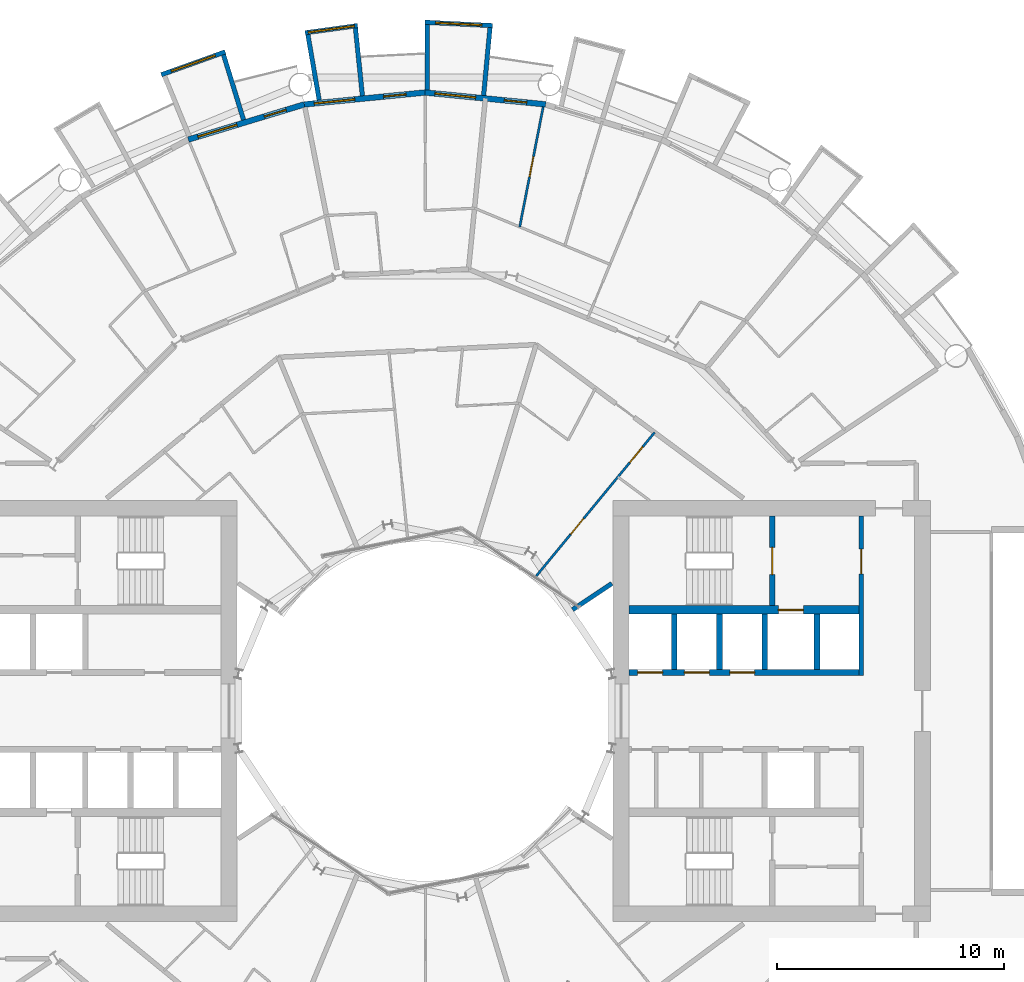
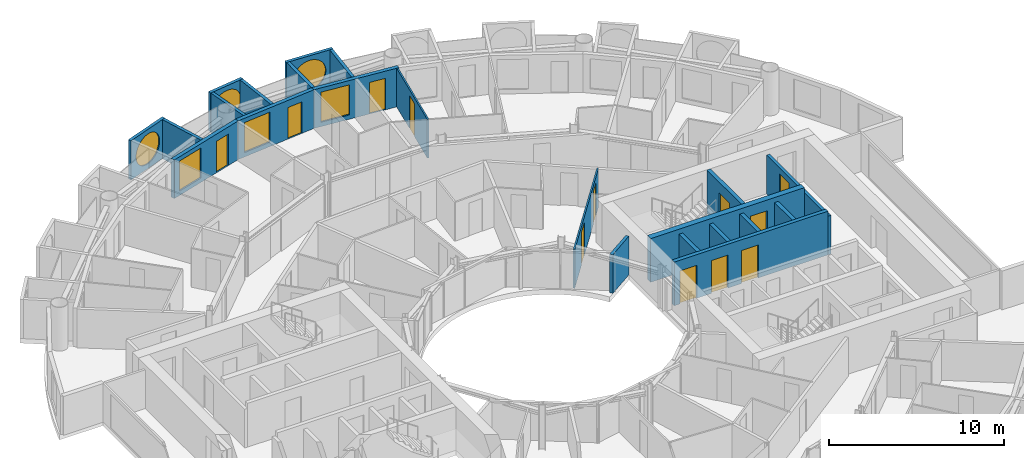
# One storey, part 20 of 26: 22 walls, 12 doors, 6 windows, 18 openings.
"""IFC4 building model written with IfcOpenShell, lengths in metres."""

from ifc_helpers import new_model, si_unit, direction, frame, frame_2d, origin, place, context, subcontext, project, spatial, rectangle, circle, extrude, material, layer, layer_set, type_object, element, fill, save


model = new_model("IFC4")

# Units and contexts
model_context = context("Model", 3, precision=1e-05, world=origin(), true_north=direction((0.0, 1.0)))
body_context = subcontext(model_context, "Body", "Model", "MODEL_VIEW")
ifc_project = project(units=[si_unit("LENGTHUNIT", "METRE"), si_unit("AREAUNIT", "SQUARE_METRE"), si_unit("VOLUMEUNIT", "CUBIC_METRE"), si_unit("PLANEANGLEUNIT", "RADIAN"), si_unit("MASSUNIT", "GRAM", prefix="KILO")], contexts=[model_context])

# Site, building, storey
site_placement = place(None, origin())
site = spatial("IfcSite", under=ifc_project, at=site_placement, CompositionType="ELEMENT")
building_placement = place(site_placement, origin())
building = spatial("IfcBuilding", under=site, at=building_placement, Name="Maasbend Ring Residences", CompositionType="ELEMENT")
storey_placement = place(building_placement, frame((0.0, 0.0, 69.699951171875)))
storey = spatial("IfcBuildingStorey", under=building, at=storey_placement, Name="L19", CompositionType="ELEMENT", Elevation=69.699951171875)

# Wall, openings, doors
ifc_material_1 = material(Name="Concrete C70/85", Category="concrete")
ifc_layer_1 = layer(ifc_material_1, 0.25)
ifc_layer_set_1 = layer_set([ifc_layer_1], Name="Concrete C70/85")
wall_type_1 = type_object("IfcWallType", Name="CORE WALL 250 C70/85", PredefinedType="SHEAR", material=ifc_layer_set_1)
wall_1_placement = place(storey_placement, frame((9.0, 1.699951171875, 0.0), z_axis=(0.0, 0.0, 1.0), x_axis=(1.0, 0.0, 0.0)))
wall_1 = element("IfcWall", 1, at=wall_1_placement, inside=storey, type_object=wall_type_1, Name="L19 core E wall SPN", PredefinedType="SHEAR", context=body_context, shape_type="SweptSolid", body=[
    extrude(rectangle(XDim=10.14990234375, YDim=0.25, at=frame_2d((5.074951171875, 0.0))), origin(), (0.0, 0.0, 1.0), 3.050048828125),
])
opening_1_placement = place(wall_1_placement, frame((0.387451171875, 0.0, 0.0)))
opening_1 = element("IfcOpeningElement", 2, at=opening_1_placement, cuts=wall_1, Name="Opening LD-E1901", PredefinedType="OPENING", context=body_context, shape_type="SweptSolid", body=[
    extrude(rectangle(XDim=1.10009765625, YDim=2.300048828125, at=frame_2d((0.550048828125, 1.14990234375))), frame((0.0, 0.135009765625, 0.0), z_axis=(0.0, -1.0, 0.0), x_axis=(1.0, 0.0, 0.0)), (0.0, 0.0, 1.0), 0.27001953125),
])
opening_2_placement = place(wall_1_placement, frame((2.449951171875, 0.0, 0.0)))
opening_2 = element("IfcOpeningElement", 3, at=opening_2_placement, cuts=wall_1, Name="Opening LD-E1902", PredefinedType="OPENING", context=body_context, shape_type="SweptSolid", body=[
    extrude(rectangle(XDim=1.10009765625, YDim=2.300048828125, at=frame_2d((0.550048828125, 1.14990234375))), frame((0.0, 0.135009765625, 0.0), z_axis=(0.0, -1.0, 0.0), x_axis=(1.0, 0.0, 0.0)), (0.0, 0.0, 1.0), 0.27001953125),
])
opening_3_placement = place(wall_1_placement, frame((4.449951171875, 0.0, 0.0)))
opening_3 = element("IfcOpeningElement", 4, at=opening_3_placement, cuts=wall_1, Name="Opening LD-E1903", PredefinedType="OPENING", context=body_context, shape_type="SweptSolid", body=[
    extrude(rectangle(XDim=1.10009765625, YDim=2.300048828125, at=frame_2d((0.550048828125, 1.14990234375))), frame((0.0, 0.135009765625, 0.0), z_axis=(0.0, -1.0, 0.0), x_axis=(1.0, 0.0, 0.0)), (0.0, 0.0, 1.0), 0.27001953125),
])
ifc_material_2 = material(Name="Stainless steel 316", Category="steel")
door_type_1 = type_object("IfcDoorType", Name="LANDING DOOR 1100 X 2300 FD60", OperationType="DOUBLE_DOOR_SLIDING", PredefinedType="DOOR", material=ifc_material_2)
door_1_placement = place(opening_1_placement, origin())
door_1 = element("IfcDoor", 5, at=door_1_placement, inside=storey, type_object=door_type_1, Name="Landing door LR-E1 L19", OperationType="DOUBLE_DOOR_SLIDING", OverallHeight=2.300048828125, OverallWidth=1.10009765625, PredefinedType="DOOR", context=body_context, shape_type="SweptSolid", body=[
    extrude(rectangle(XDim=1.10009765625, YDim=2.300048828125, at=frame_2d((0.550048828125, 1.14990234375))), frame((0.0, 0.02490234375, 0.0), z_axis=(0.0, -1.0, 0.0), x_axis=(1.0, 0.0, 0.0)), (0.0, 0.0, 1.0), 0.050048828125),
])
fill(opening_1, door_1)
door_2_placement = place(opening_2_placement, origin())
door_2 = element("IfcDoor", 6, at=door_2_placement, inside=storey, type_object=door_type_1, Name="Landing door LR-E2 L19", OperationType="DOUBLE_DOOR_SLIDING", OverallHeight=2.300048828125, OverallWidth=1.10009765625, PredefinedType="DOOR", context=body_context, shape_type="SweptSolid", body=[
    extrude(rectangle(XDim=1.10009765625, YDim=2.300048828125, at=frame_2d((0.550048828125, 1.14990234375))), frame((0.0, 0.02490234375, 0.0), z_axis=(0.0, -1.0, 0.0), x_axis=(1.0, 0.0, 0.0)), (0.0, 0.0, 1.0), 0.050048828125),
])
fill(opening_2, door_2)
door_3_placement = place(opening_3_placement, origin())
door_3 = element("IfcDoor", 7, at=door_3_placement, inside=storey, type_object=door_type_1, Name="Landing door LR-E3 L19", OperationType="DOUBLE_DOOR_SLIDING", OverallHeight=2.300048828125, OverallWidth=1.10009765625, PredefinedType="DOOR", context=body_context, shape_type="SweptSolid", body=[
    extrude(rectangle(XDim=1.10009765625, YDim=2.300048828125, at=frame_2d((0.550048828125, 1.14990234375))), frame((0.0, 0.02490234375, 0.0), z_axis=(0.0, -1.0, 0.0), x_axis=(1.0, 0.0, 0.0)), (0.0, 0.0, 1.0), 0.050048828125),
])
fill(opening_3, door_3)

# Wall, opening, door
wall_2_placement = place(storey_placement, frame((15.324951171875, 4.64990234375, 0.0), z_axis=(0.0, 0.0, 1.0), x_axis=(0.0, 1.0, 0.0)))
wall_2 = element("IfcWall", 8, at=wall_2_placement, inside=storey, type_object=wall_type_1, Name="L19 core E wall STEN", PredefinedType="SHEAR", context=body_context, shape_type="SweptSolid", body=[
    extrude(rectangle(XDim=3.9501953125, YDim=0.25, at=frame_2d((1.97509765625, 0.0))), origin(), (0.0, 0.0, 1.0), 3.050048828125),
])
opening_4_placement = place(wall_2_placement, frame((1.375, 0.0, 0.0)))
opening_4 = element("IfcOpeningElement", 9, at=opening_4_placement, cuts=wall_2, Name="Opening D-E1911", PredefinedType="OPENING", context=body_context, shape_type="SweptSolid", body=[
    extrude(rectangle(XDim=1.199951171875, YDim=2.300048828125, at=frame_2d((0.60009765625, 1.14990234375))), frame((0.0, 0.135009765625, 0.0), z_axis=(0.0, -1.0, 0.0), x_axis=(1.0, 0.0, 0.0)), (0.0, 0.0, 1.0), 0.27001953125),
])
ifc_material_3 = material(Name="Steel, powder coated", Category="steel")
door_type_2 = type_object("IfcDoorType", Name="STAIR DOOR 1200 X 2300 FD60", OperationType="NOTDEFINED", PredefinedType="DOOR", material=ifc_material_3)
door_4_placement = place(opening_4_placement, origin())
door_4 = element("IfcDoor", 10, at=door_4_placement, inside=storey, type_object=door_type_2, Name="Stair door ST-E L19", OperationType="SINGLE_SWING_LEFT", OverallHeight=2.300048828125, OverallWidth=1.199951171875, PredefinedType="DOOR", context=body_context, shape_type="SweptSolid", body=[
    extrude(rectangle(XDim=1.199951171875, YDim=2.300048828125, at=frame_2d((0.60009765625, 1.14990234375))), frame((0.0, 0.02490234375, 0.0), z_axis=(0.0, -1.0, 0.0), x_axis=(1.0, 0.0, 0.0)), (0.0, 0.0, 1.0), 0.050048828125),
])
fill(opening_4, door_4)

ifc_material_4 = material(Name="Concrete C70/85", Category="concrete")
ifc_layer_2 = layer(ifc_material_4, 0.375)
ifc_layer_set_2 = layer_set([ifc_layer_2], Name="Concrete C70/85")
wall_type_2 = type_object("IfcWallType", Name="CORE WALL 375 C70/85", PredefinedType="SHEAR", material=ifc_layer_set_2)
wall_3_placement = place(storey_placement, frame((9.0, 4.46240234375, 0.0), z_axis=(0.0, 0.0, 1.0), x_axis=(1.0, 0.0, 0.0)))
wall_3 = element("IfcWall", 11, at=wall_3_placement, inside=storey, type_object=wall_type_2, Name="L19 core E wall BN", PredefinedType="SHEAR", context=body_context, shape_type="SweptSolid", body=[
    extrude(rectangle(XDim=10.14990234375, YDim=0.375, at=frame_2d((5.074951171875, 0.0))), origin(), (0.0, 0.0, 1.0), 3.050048828125),
])
opening_5_placement = place(wall_3_placement, frame((6.60009765625, 0.0, 0.0)))
opening_5 = element("IfcOpeningElement", 12, at=opening_5_placement, cuts=wall_3, Name="Opening LD-E1904", PredefinedType="OPENING", context=body_context, shape_type="SweptSolid", body=[
    extrude(rectangle(XDim=1.10009765625, YDim=2.300048828125, at=frame_2d((0.550048828125, 1.14990234375))), frame((0.0, 0.197509765625, 0.0), z_axis=(0.0, -1.0, 0.0), x_axis=(1.0, 0.0, 0.0)), (0.0, 0.0, 1.0), 0.39501953125),
])
door_5_placement = place(opening_5_placement, origin())
door_5 = element("IfcDoor", 13, at=door_5_placement, inside=storey, type_object=door_type_1, Name="Landing door FF-E L19", OperationType="DOUBLE_DOOR_SLIDING", OverallHeight=2.300048828125, OverallWidth=1.10009765625, PredefinedType="DOOR", context=body_context, shape_type="SweptSolid", body=[
    extrude(rectangle(XDim=1.10009765625, YDim=2.300048828125, at=frame_2d((0.550048828125, 1.14990234375))), frame((0.0, 0.02490234375, 0.0), z_axis=(0.0, -1.0, 0.0), x_axis=(1.0, 0.0, 0.0)), (0.0, 0.0, 1.0), 0.050048828125),
])
fill(opening_5, door_5)

# Wall, opening, window
ifc_material_5 = material(Name="Pale anodised aluminium panel", Category="aluminium")
ifc_layer_3 = layer(ifc_material_5, 0.199951171875)
ifc_layer_set_3 = layer_set([ifc_layer_3], Name="EW-BOX")
wall_type_3 = type_object("IfcWallType", Name="EW-BOX", PredefinedType="SOLIDWALL", material=ifc_layer_set_3)
wall_4_placement = place(storey_placement, frame((2.985107421875, 30.2529296875, -0.030029296875), z_axis=(0.0, 0.0, 1.0), x_axis=(-0.998794083011, 0.049095618353, 0.0)))
wall_4 = element("IfcWall", 14, at=wall_4_placement, inside=storey, type_object=wall_type_3, Name="Box front N10", PredefinedType="SOLIDWALL", context=body_context, shape_type="SweptSolid", body=[
    extrude(rectangle(XDim=2.99365234375, YDim=0.199951171875, at=frame_2d((1.496826171875, 0.0))), origin(), (0.0, 0.0, 1.0), 2.72998046875),
])
opening_6_placement = place(wall_4_placement, frame((0.45654296875, 0.0, 0.330078125)))
opening_6 = element("IfcOpeningElement", 15, at=opening_6_placement, cuts=wall_4, Name="Opening W-RD", PredefinedType="OPENING", context=body_context, shape_type="SweptSolid", body=[
    extrude(circle(Radius=1.0400390625, at=frame_2d((1.0400390625, 1.0400390625))), frame((0.0, 0.10986328125, 0.0), z_axis=(0.0, -1.0, 0.0), x_axis=(1.0, 0.0, 0.0)), (0.0, 0.0, 1.0), 0.219970703125),
])
ifc_material_6 = material(Name="Aluminium and clear glass", Category="aluminium")
window_type_1 = type_object("IfcWindowType", Name="W-RD", PartitioningType="SINGLE_PANEL", PredefinedType="WINDOW", material=ifc_material_6)
window_1_placement = place(opening_6_placement, origin())
window_1 = element("IfcWindow", 16, at=window_1_placement, inside=storey, type_object=window_type_1, Name="Round window N10", OverallHeight=2.080078125, OverallWidth=2.080078125, PartitioningType="SINGLE_PANEL", PredefinedType="WINDOW", context=body_context, shape_type="SweptSolid", body=[
    extrude(circle(Radius=1.0400390625, at=frame_2d((1.0400390625, 1.0400390625))), frame((0.0, 0.030029296875, 0.0), z_axis=(0.0, -1.0, 0.0), x_axis=(1.0, 0.0, 0.0)), (0.0, 0.0, 1.0), 0.06005859375),
])
fill(opening_6, window_1)

# Walls
wall_5_placement = place(storey_placement, frame((2.5859375, 27.1708984375, -0.030029296875), z_axis=(0.0, 0.0, 1.0), x_axis=(0.094548432284, 0.995520262954, 0.0)))
element("IfcWall", 17, at=wall_5_placement, inside=storey, type_object=wall_type_3, Name="Box side wall N10 left", PredefinedType="SOLIDWALL", context=body_context, shape_type="SweptSolid", body=[
    extrude(rectangle(XDim=3.005615234375, YDim=0.199951171875, at=frame_2d((1.5029296875, 0.0))), origin(), (0.0, 0.0, 1.0), 2.72998046875),
])
wall_6_placement = place(storey_placement, frame((0.090087890625, 27.4169921875, -0.030029296875), z_axis=(0.0, 0.0, 1.0), x_axis=(0.00347308367, 0.999993968827, 0.0)))
element("IfcWall", 18, at=wall_6_placement, inside=storey, type_object=wall_type_3, Name="Box side wall N10 right", PredefinedType="SOLIDWALL", context=body_context, shape_type="SweptSolid", body=[
    extrude(rectangle(XDim=2.882080078125, YDim=0.199951171875, at=frame_2d((1.44091796875, 0.0))), origin(), (0.0, 0.0, 1.0), 2.72998046875),
])

# Wall, opening, window
wall_7_placement = place(storey_placement, frame((-2.97607421875, 30.25390625, -0.030029296875), z_axis=(0.0, 0.0, 1.0), x_axis=(-0.990696111261, -0.136092671119, 0.0)))
wall_7 = element("IfcWall", 19, at=wall_7_placement, inside=storey, type_object=wall_type_3, Name="Box front N12", PredefinedType="SOLIDWALL", context=body_context, shape_type="SweptSolid", body=[
    extrude(rectangle(XDim=2.335693359375, YDim=0.199951171875, at=frame_2d((1.16796875, 0.0))), origin(), (0.0, 0.0, 1.0), 2.72998046875),
])
opening_7_placement = place(wall_7_placement, frame((0.128173828125, 0.0, 0.330078125)))
opening_7 = element("IfcOpeningElement", 20, at=opening_7_placement, cuts=wall_7, Name="Opening W-RD", PredefinedType="OPENING", context=body_context, shape_type="SweptSolid", body=[
    extrude(circle(Radius=1.0400390625, at=frame_2d((1.0400390625, 1.0400390625))), frame((0.0, 0.10986328125, 0.0), z_axis=(0.0, -1.0, 0.0), x_axis=(1.0, 0.0, 0.0)), (0.0, 0.0, 1.0), 0.219970703125),
])
window_2_placement = place(opening_7_placement, origin())
window_2 = element("IfcWindow", 21, at=window_2_placement, inside=storey, type_object=window_type_1, Name="Round window N12", OverallHeight=2.080078125, OverallWidth=2.080078125, PartitioningType="SINGLE_PANEL", PredefinedType="WINDOW", context=body_context, shape_type="SweptSolid", body=[
    extrude(circle(Radius=1.0400390625, at=frame_2d((1.0400390625, 1.0400390625))), frame((0.0, 0.030029296875, 0.0), z_axis=(0.0, -1.0, 0.0), x_axis=(1.0, 0.0, 0.0)), (0.0, 0.0, 1.0), 0.06005859375),
])
fill(opening_7, window_2)

# Walls
wall_8_placement = place(storey_placement, frame((-2.763916015625, 27.153076171875, -0.030029296875), z_axis=(0.0, 0.0, 1.0), x_axis=(-0.101505487237, 0.994834979311, 0.0)))
element("IfcWall", 22, at=wall_8_placement, inside=storey, type_object=wall_type_3, Name="Box side wall N12 left", PredefinedType="SOLIDWALL", context=body_context, shape_type="SweptSolid", body=[
    extrude(rectangle(XDim=3.006591796875, YDim=0.199951171875, at=frame_2d((1.50341796875, 0.0))), origin(), (0.0, 0.0, 1.0), 2.72998046875),
])
wall_9_placement = place(storey_placement, frame((-4.6708984375, 26.966064453125, -0.030029296875), z_axis=(0.0, 0.0, 1.0), x_axis=(-0.170539878907, 0.985350774954, 0.0)))
element("IfcWall", 23, at=wall_9_placement, inside=storey, type_object=wall_type_3, Name="Box side wall N12 right", PredefinedType="SOLIDWALL", context=body_context, shape_type="SweptSolid", body=[
    extrude(rectangle(XDim=2.931884765625, YDim=0.199951171875, at=frame_2d((1.4658203125, 0.0))), origin(), (0.0, 0.0, 1.0), 2.72998046875),
])

# Wall, opening, window
wall_10_placement = place(storey_placement, frame((-8.820068359375, 29.093017578125, -0.030029296875), z_axis=(0.0, 0.0, 1.0), x_axis=(-0.941461077774, -0.337121697664, 0.0)))
wall_10 = element("IfcWall", 24, at=wall_10_placement, inside=storey, type_object=wall_type_3, Name="Box front N14", PredefinedType="SOLIDWALL", context=body_context, shape_type="SweptSolid", body=[
    extrude(rectangle(XDim=2.9931640625, YDim=0.199951171875, at=frame_2d((1.49658203125, 0.0))), origin(), (0.0, 0.0, 1.0), 2.72998046875),
])
opening_8_placement = place(wall_10_placement, frame((0.45654296875, 0.0, 0.330078125)))
opening_8 = element("IfcOpeningElement", 25, at=opening_8_placement, cuts=wall_10, Name="Opening W-RD", PredefinedType="OPENING", context=body_context, shape_type="SweptSolid", body=[
    extrude(circle(Radius=1.0400390625, at=frame_2d((1.0400390625, 1.0400390625))), frame((0.0, 0.10986328125, 0.0), z_axis=(0.0, -1.0, 0.0), x_axis=(1.0, 0.0, 0.0)), (0.0, 0.0, 1.0), 0.219970703125),
])
window_3_placement = place(opening_8_placement, origin())
window_3 = element("IfcWindow", 26, at=window_3_placement, inside=storey, type_object=window_type_1, Name="Round window N14", OverallHeight=2.080078125, OverallWidth=2.080078125, PartitioningType="SINGLE_PANEL", PredefinedType="WINDOW", context=body_context, shape_type="SweptSolid", body=[
    extrude(circle(Radius=1.0400390625, at=frame_2d((1.0400390625, 1.0400390625))), frame((0.0, 0.030029296875, 0.0), z_axis=(0.0, -1.0, 0.0), x_axis=(1.0, 0.0, 0.0)), (0.0, 0.0, 1.0), 0.06005859375),
])
fill(opening_8, window_3)

# Wall
wall_11_placement = place(storey_placement, frame((-8.009033203125, 26.092041015625, -0.030029296875), z_axis=(0.0, 0.0, 1.0), x_axis=(-0.293406695073, 0.955987715029, 0.0)))
element("IfcWall", 27, at=wall_11_placement, inside=storey, type_object=wall_type_3, Name="Box side wall N14 left", PredefinedType="SOLIDWALL", context=body_context, shape_type="SweptSolid", body=[
    extrude(rectangle(XDim=3.00634765625, YDim=0.199951171875, at=frame_2d((1.503173828125, 0.0))), origin(), (0.0, 0.0, 1.0), 2.72998046875),
])

# Wall, openings, door, window
ifc_material_7 = material(Name="Aluminium clad insulated panel", Category="aluminium")
ifc_layer_4 = layer(ifc_material_7, 0.25)
ifc_layer_set_4 = layer_set([ifc_layer_4], Name="EW-GL")
wall_type_4 = type_object("IfcWallType", Name="EW-GL", PredefinedType="SOLIDWALL", material=ifc_layer_set_4)
wall_12_placement = place(storey_placement, frame((5.325927734375, 26.77490234375, 0.0), z_axis=(0.0, 0.0, 1.0), x_axis=(-0.995173996315, 0.098126026407, 0.0)))
wall_12 = element("IfcWall", 28, at=wall_12_placement, inside=storey, type_object=wall_type_4, Name="External wall N05", PredefinedType="SOLIDWALL", context=body_context, shape_type="SweptSolid", body=[
    extrude(rectangle(XDim=5.351806640625, YDim=0.25, at=frame_2d((2.67578125, 0.0))), origin(), (0.0, 0.0, 1.0), 2.699951171875),
])
opening_9_placement = place(wall_12_placement, frame((0.841064453125, 0.0, 0.0)))
opening_9 = element("IfcOpeningElement", 29, at=opening_9_placement, cuts=wall_12, Name="Opening D-LG", PredefinedType="OPENING", context=body_context, shape_type="SweptSolid", body=[
    extrude(rectangle(XDim=1.0, YDim=2.199951171875, at=frame_2d((0.5, 1.10009765625))), frame((0.0, 0.135009765625, 0.0), z_axis=(0.0, -1.0, 0.0), x_axis=(1.0, 0.0, 0.0)), (0.0, 0.0, 1.0), 0.27001953125),
])
opening_10_placement = place(wall_12_placement, frame((3.110595703125, 0.0, 0.300048828125)))
opening_10 = element("IfcOpeningElement", 30, at=opening_10_placement, cuts=wall_12, Name="Opening W-BX", PredefinedType="OPENING", context=body_context, shape_type="SweptSolid", body=[
    extrude(rectangle(XDim=1.800048828125, YDim=2.10009765625, at=frame_2d((0.89990234375, 1.050048828125))), frame((0.0, 0.135009765625, 0.0), z_axis=(0.0, -1.0, 0.0), x_axis=(1.0, 0.0, 0.0)), (0.0, 0.0, 1.0), 0.27001953125),
])
ifc_material_8 = material(Name="Aluminium and clear glass", Category="aluminium")
door_type_3 = type_object("IfcDoorType", Name="D-LG", OperationType="SINGLE_SWING_LEFT", PredefinedType="DOOR", material=ifc_material_8)
door_6_placement = place(opening_9_placement, origin())
door_6 = element("IfcDoor", 31, at=door_6_placement, inside=storey, type_object=door_type_3, Name="Loggia door N09", OperationType="SINGLE_SWING_LEFT", OverallHeight=2.199951171875, OverallWidth=1.0, PredefinedType="DOOR", context=body_context, shape_type="SweptSolid", body=[
    extrude(rectangle(XDim=1.0, YDim=2.199951171875, at=frame_2d((0.5, 1.10009765625))), frame((0.0, 0.02490234375, 0.0), z_axis=(0.0, -1.0, 0.0), x_axis=(1.0, 0.0, 0.0)), (0.0, 0.0, 1.0), 0.050048828125),
])
fill(opening_9, door_6)
ifc_material_9 = material(Name="Aluminium and clear glass", Category="aluminium")
window_type_2 = type_object("IfcWindowType", Name="W-BX", PartitioningType="DOUBLE_PANEL_VERTICAL", PredefinedType="WINDOW", material=ifc_material_9)
window_4_placement = place(opening_10_placement, origin())
window_4 = element("IfcWindow", 32, at=window_4_placement, inside=storey, type_object=window_type_2, Name="Window N10 room to box", OverallHeight=2.10009765625, OverallWidth=1.800048828125, PartitioningType="SINGLE_PANEL", PredefinedType="WINDOW", context=body_context, shape_type="SweptSolid", body=[
    extrude(rectangle(XDim=1.800048828125, YDim=2.10009765625, at=frame_2d((0.89990234375, 1.050048828125))), frame((0.0, 0.030029296875, 0.0), z_axis=(0.0, -1.0, 0.0), x_axis=(1.0, 0.0, 0.0)), (0.0, 0.0, 1.0), 0.06005859375),
])
fill(opening_10, window_4)

wall_13_placement = place(storey_placement, frame((0.0, 27.300048828125, 0.0), z_axis=(0.0, 0.0, 1.0), x_axis=(-0.995173996315, -0.098126026407, 0.0)))
wall_13 = element("IfcWall", 33, at=wall_13_placement, inside=storey, type_object=wall_type_4, Name="External wall N06", PredefinedType="SOLIDWALL", context=body_context, shape_type="SweptSolid", body=[
    extrude(rectangle(XDim=5.351806640625, YDim=0.25, at=frame_2d((2.67578125, 0.0))), origin(), (0.0, 0.0, 1.0), 2.699951171875),
])
opening_11_placement = place(wall_13_placement, frame((0.841064453125, 0.0, 0.0)))
opening_11 = element("IfcOpeningElement", 34, at=opening_11_placement, cuts=wall_13, Name="Opening D-LG", PredefinedType="OPENING", context=body_context, shape_type="SweptSolid", body=[
    extrude(rectangle(XDim=1.0, YDim=2.199951171875, at=frame_2d((0.5, 1.10009765625))), frame((0.0, 0.135009765625, 0.0), z_axis=(0.0, -1.0, 0.0), x_axis=(1.0, 0.0, 0.0)), (0.0, 0.0, 1.0), 0.27001953125),
])
opening_12_placement = place(wall_13_placement, frame((3.110595703125, 0.0, 0.300048828125)))
opening_12 = element("IfcOpeningElement", 35, at=opening_12_placement, cuts=wall_13, Name="Opening W-BX", PredefinedType="OPENING", context=body_context, shape_type="SweptSolid", body=[
    extrude(rectangle(XDim=1.800048828125, YDim=2.10009765625, at=frame_2d((0.89990234375, 1.050048828125))), frame((0.0, 0.135009765625, 0.0), z_axis=(0.0, -1.0, 0.0), x_axis=(1.0, 0.0, 0.0)), (0.0, 0.0, 1.0), 0.27001953125),
])
door_7_placement = place(opening_11_placement, origin())
door_7 = element("IfcDoor", 36, at=door_7_placement, inside=storey, type_object=door_type_3, Name="Loggia door N11", OperationType="SINGLE_SWING_LEFT", OverallHeight=2.199951171875, OverallWidth=1.0, PredefinedType="DOOR", context=body_context, shape_type="SweptSolid", body=[
    extrude(rectangle(XDim=1.0, YDim=2.199951171875, at=frame_2d((0.5, 1.10009765625))), frame((0.0, 0.02490234375, 0.0), z_axis=(0.0, -1.0, 0.0), x_axis=(1.0, 0.0, 0.0)), (0.0, 0.0, 1.0), 0.050048828125),
])
fill(opening_11, door_7)
window_5_placement = place(opening_12_placement, origin())
window_5 = element("IfcWindow", 37, at=window_5_placement, inside=storey, type_object=window_type_2, Name="Window N12 room to box", OverallHeight=2.10009765625, OverallWidth=1.800048828125, PartitioningType="SINGLE_PANEL", PredefinedType="WINDOW", context=body_context, shape_type="SweptSolid", body=[
    extrude(rectangle(XDim=1.800048828125, YDim=2.10009765625, at=frame_2d((0.89990234375, 1.050048828125))), frame((0.0, 0.030029296875, 0.0), z_axis=(0.0, -1.0, 0.0), x_axis=(1.0, 0.0, 0.0)), (0.0, 0.0, 1.0), 0.06005859375),
])
fill(opening_12, window_5)

wall_14_placement = place(storey_placement, frame((-5.325927734375, 26.77490234375, 0.0), z_axis=(0.0, 0.0, 1.0), x_axis=(-0.956965678721, -0.290201119486, 0.0)))
wall_14 = element("IfcWall", 38, at=wall_14_placement, inside=storey, type_object=wall_type_4, Name="External wall N07", PredefinedType="SOLIDWALL", context=body_context, shape_type="SweptSolid", body=[
    extrude(rectangle(XDim=5.351318359375, YDim=0.25, at=frame_2d((2.67578125, 0.0))), origin(), (0.0, 0.0, 1.0), 2.699951171875),
])
opening_13_placement = place(wall_14_placement, frame((0.841064453125, 0.0, 0.0)))
opening_13 = element("IfcOpeningElement", 39, at=opening_13_placement, cuts=wall_14, Name="Opening D-LG", PredefinedType="OPENING", context=body_context, shape_type="SweptSolid", body=[
    extrude(rectangle(XDim=1.0, YDim=2.199951171875, at=frame_2d((0.5, 1.10009765625))), frame((0.0, 0.135009765625, 0.0), z_axis=(0.0, -1.0, 0.0), x_axis=(1.0, 0.0, 0.0)), (0.0, 0.0, 1.0), 0.27001953125),
])
opening_14_placement = place(wall_14_placement, frame((3.110595703125, 0.0, 0.300048828125)))
opening_14 = element("IfcOpeningElement", 40, at=opening_14_placement, cuts=wall_14, Name="Opening W-BX", PredefinedType="OPENING", context=body_context, shape_type="SweptSolid", body=[
    extrude(rectangle(XDim=1.800048828125, YDim=2.10009765625, at=frame_2d((0.89990234375, 1.050048828125))), frame((0.0, 0.135009765625, 0.0), z_axis=(0.0, -1.0, 0.0), x_axis=(1.0, 0.0, 0.0)), (0.0, 0.0, 1.0), 0.27001953125),
])
door_8_placement = place(opening_13_placement, origin())
door_8 = element("IfcDoor", 41, at=door_8_placement, inside=storey, type_object=door_type_3, Name="Loggia door N13", OperationType="SINGLE_SWING_LEFT", OverallHeight=2.199951171875, OverallWidth=1.0, PredefinedType="DOOR", context=body_context, shape_type="SweptSolid", body=[
    extrude(rectangle(XDim=1.0, YDim=2.199951171875, at=frame_2d((0.5, 1.10009765625))), frame((0.0, 0.02490234375, 0.0), z_axis=(0.0, -1.0, 0.0), x_axis=(1.0, 0.0, 0.0)), (0.0, 0.0, 1.0), 0.050048828125),
])
fill(opening_13, door_8)
window_6_placement = place(opening_14_placement, origin())
window_6 = element("IfcWindow", 42, at=window_6_placement, inside=storey, type_object=window_type_2, Name="Window N14 room to box", OverallHeight=2.10009765625, OverallWidth=1.800048828125, PartitioningType="SINGLE_PANEL", PredefinedType="WINDOW", context=body_context, shape_type="SweptSolid", body=[
    extrude(rectangle(XDim=1.800048828125, YDim=2.10009765625, at=frame_2d((0.89990234375, 1.050048828125))), frame((0.0, 0.030029296875, 0.0), z_axis=(0.0, -1.0, 0.0), x_axis=(1.0, 0.0, 0.0)), (0.0, 0.0, 1.0), 0.06005859375),
])
fill(opening_14, window_6)

# Wall, opening, door
ifc_material_10 = material(Name="Gypsum board on steel studs", Category="steel")
ifc_layer_5 = layer(ifc_material_10, 0.10009765625)
ifc_layer_set_5 = layer_set([ifc_layer_5], Name="PARTITION 100 GYPSUM")
wall_type_5 = type_object("IfcWallType", Name="PARTITION 100 GYPSUM", PredefinedType="PARTITIONING", material=ifc_layer_set_5)
wall_15_placement = place(storey_placement, frame((4.178955078125, 21.366943359375, 0.0), z_axis=(0.0, 0.0, 1.0), x_axis=(0.192109041462, 0.981373586453, 0.0)))
wall_15 = element("IfcWall", 43, at=wall_15_placement, inside=storey, type_object=wall_type_5, Name="U-L19-w068", PredefinedType="PARTITIONING", context=body_context, shape_type="SweptSolid", body=[
    extrude(rectangle(XDim=5.403564453125, YDim=0.10009765625, at=frame_2d((2.70166015625, 0.0))), origin(), (0.0, 0.0, 1.0), 2.699951171875),
])
opening_15_placement = place(wall_15_placement, frame((2.251953125, 0.0, 0.0)))
opening_15 = element("IfcOpeningElement", 44, at=opening_15_placement, cuts=wall_15, Name="Opening D-1909", PredefinedType="OPENING", context=body_context, shape_type="SweptSolid", body=[
    extrude(rectangle(XDim=0.89990234375, YDim=2.300048828125, at=frame_2d((0.449951171875, 1.14990234375))), frame((0.0, 0.06005859375, 0.0), z_axis=(0.0, -1.0, 0.0), x_axis=(1.0, 0.0, 0.0)), (0.0, 0.0, 1.0), 0.1201171875),
])
ifc_material_11 = material(Name="Timber, painted", Category="wood")
door_type_4 = type_object("IfcDoorType", Name="INTERNAL DOOR 900 X 2300", OperationType="NOTDEFINED", PredefinedType="DOOR", material=ifc_material_11)
door_9_placement = place(opening_15_placement, origin())
door_9 = element("IfcDoor", 45, at=door_9_placement, inside=storey, type_object=door_type_4, Name="D-1909", OperationType="SINGLE_SWING_RIGHT", OverallHeight=2.300048828125, OverallWidth=0.89990234375, PredefinedType="DOOR", context=body_context, shape_type="SweptSolid", body=[
    extrude(rectangle(XDim=0.89990234375, YDim=2.300048828125, at=frame_2d((0.449951171875, 1.14990234375))), frame((0.0, 0.02490234375, 0.0), z_axis=(0.0, -1.0, 0.0), x_axis=(1.0, 0.0, 0.0)), (0.0, 0.0, 1.0), 0.050048828125),
])
fill(opening_15, door_9)

# Wall, openings, doors
wall_16_placement = place(storey_placement, frame((4.908935546875, 5.9580078125, 0.0), z_axis=(0.0, 0.0, 1.0), x_axis=(0.635976043025, 0.771708800454, 0.0)))
wall_16 = element("IfcWall", 46, at=wall_16_placement, inside=storey, type_object=wall_type_5, Name="U-L19-w070", PredefinedType="PARTITIONING", context=body_context, shape_type="SweptSolid", body=[
    extrude(rectangle(XDim=8.212890625, YDim=0.10009765625, at=frame_2d((4.1064453125, 0.0))), origin(), (0.0, 0.0, 1.0), 2.699951171875),
])
opening_16_placement = place(wall_16_placement, frame((6.489990234375, 0.0, 0.0)))
opening_16 = element("IfcOpeningElement", 47, at=opening_16_placement, cuts=wall_16, Name="Opening D-1923", PredefinedType="OPENING", context=body_context, shape_type="SweptSolid", body=[
    extrude(rectangle(XDim=0.89990234375, YDim=2.300048828125, at=frame_2d((0.449951171875, 1.14990234375))), frame((0.0, 0.06005859375, 0.0), z_axis=(0.0, -1.0, 0.0), x_axis=(1.0, 0.0, 0.0)), (0.0, 0.0, 1.0), 0.1201171875),
])
opening_17_placement = place(wall_16_placement, frame((2.384033203125, 0.0, 0.0)))
opening_17 = element("IfcOpeningElement", 48, at=opening_17_placement, cuts=wall_16, Name="Opening D-1924", PredefinedType="OPENING", context=body_context, shape_type="SweptSolid", body=[
    extrude(rectangle(XDim=0.89990234375, YDim=2.300048828125, at=frame_2d((0.449951171875, 1.14990234375))), frame((0.0, 0.06005859375, 0.0), z_axis=(0.0, -1.0, 0.0), x_axis=(1.0, 0.0, 0.0)), (0.0, 0.0, 1.0), 0.1201171875),
])
door_10_placement = place(opening_16_placement, origin())
door_10 = element("IfcDoor", 49, at=door_10_placement, inside=storey, type_object=door_type_4, Name="D-1923", OperationType="SINGLE_SWING_RIGHT", OverallHeight=2.300048828125, OverallWidth=0.89990234375, PredefinedType="DOOR", context=body_context, shape_type="SweptSolid", body=[
    extrude(rectangle(XDim=0.89990234375, YDim=2.300048828125, at=frame_2d((0.449951171875, 1.14990234375))), frame((0.0, 0.02490234375, 0.0), z_axis=(0.0, -1.0, 0.0), x_axis=(1.0, 0.0, 0.0)), (0.0, 0.0, 1.0), 0.050048828125),
])
fill(opening_16, door_10)
door_11_placement = place(opening_17_placement, origin())
door_11 = element("IfcDoor", 50, at=door_11_placement, inside=storey, type_object=door_type_4, Name="D-1924", OperationType="SINGLE_SWING_LEFT", OverallHeight=2.300048828125, OverallWidth=0.89990234375, PredefinedType="DOOR", context=body_context, shape_type="SweptSolid", body=[
    extrude(rectangle(XDim=0.89990234375, YDim=2.300048828125, at=frame_2d((0.449951171875, 1.14990234375))), frame((0.0, 0.02490234375, 0.0), z_axis=(0.0, -1.0, 0.0), x_axis=(1.0, 0.0, 0.0)), (0.0, 0.0, 1.0), 0.050048828125),
])
fill(opening_17, door_11)

# Wall
ifc_material_12 = material(Name="Concrete C30/37", Category="concrete")
ifc_layer_6 = layer(ifc_material_12, 0.199951171875)
ifc_layer_set_6 = layer_set([ifc_layer_6], Name="Concrete C30/37")
wall_type_6 = type_object("IfcWallType", Name="PARTY WALL 200 CONCRETE", PredefinedType="PARTITIONING", material=ifc_layer_set_6)
wall_17_placement = place(storey_placement, frame((6.512939453125, 4.471923828125, 0.0), z_axis=(0.0, 0.0, 1.0), x_axis=(0.831382204863, 0.555701025225, 0.0)))
element("IfcWall", 51, at=wall_17_placement, inside=storey, type_object=wall_type_6, Name="U-L19-w086", PredefinedType="PARTITIONING", context=body_context, shape_type="SweptSolid", body=[
    extrude(rectangle(XDim=2.08203125, YDim=0.199951171875, at=frame_2d((1.041015625, 0.0))), origin(), (0.0, 0.0, 1.0), 2.699951171875),
])

# Wall, opening, door
ifc_material_13 = material(Name="Concrete C30/37", Category="concrete")
ifc_layer_7 = layer(ifc_material_13, 0.199951171875)
ifc_layer_set_7 = layer_set([ifc_layer_7], Name="Concrete C30/37")
wall_type_7 = type_object("IfcWallType", Name="SHAFT WALL 200 EI 120", PredefinedType="SOLIDWALL", material=ifc_layer_set_7)
wall_18_placement = place(storey_placement, frame((19.25, 1.574951171875, 0.0), z_axis=(0.0, 0.0, 1.0), x_axis=(0.0, 1.0, 0.0)))
wall_18 = element("IfcWall", 52, at=wall_18_placement, inside=storey, type_object=wall_type_7, Name="L19 core E wall ENDN", PredefinedType="SOLIDWALL", context=body_context, shape_type="SweptSolid", body=[
    extrude(rectangle(XDim=7.025146484375, YDim=0.199951171875, at=frame_2d((3.5126953125, 0.0))), origin(), (0.0, 0.0, 1.0), 2.699951171875),
])
opening_18_placement = place(wall_18_placement, frame((4.47509765625, 0.0, 0.0)))
opening_18 = element("IfcOpeningElement", 53, at=opening_18_placement, cuts=wall_18, Name="Opening D-E1913", PredefinedType="OPENING", context=body_context, shape_type="SweptSolid", body=[
    extrude(rectangle(XDim=1.10009765625, YDim=2.300048828125, at=frame_2d((0.550048828125, 1.14990234375))), frame((0.0, 0.10986328125, 0.0), z_axis=(0.0, -1.0, 0.0), x_axis=(1.0, 0.0, 0.0)), (0.0, 0.0, 1.0), 0.219970703125),
])
ifc_material_14 = material(Name="Steel, powder coated", Category="steel")
door_type_5 = type_object("IfcDoorType", Name="LOBBY DOOR 1100 X 2300 FD60", OperationType="NOTDEFINED", PredefinedType="DOOR", material=ifc_material_14)
door_12_placement = place(opening_18_placement, origin())
door_12 = element("IfcDoor", 54, at=door_12_placement, inside=storey, type_object=door_type_5, Name="Lobby door L19", OperationType="SINGLE_SWING_LEFT", OverallHeight=2.300048828125, OverallWidth=1.10009765625, PredefinedType="DOOR", context=body_context, shape_type="SweptSolid", body=[
    extrude(rectangle(XDim=1.10009765625, YDim=2.300048828125, at=frame_2d((0.550048828125, 1.14990234375))), frame((0.0, 0.02490234375, 0.0), z_axis=(0.0, -1.0, 0.0), x_axis=(1.0, 0.0, 0.0)), (0.0, 0.0, 1.0), 0.050048828125),
])
fill(opening_18, door_12)

# Walls
ifc_material_15 = material(Name="Concrete C30/37", Category="concrete")
ifc_layer_8 = layer(ifc_material_15, 0.25)
ifc_layer_set_8 = layer_set([ifc_layer_8], Name="Concrete C30/37")
wall_type_8 = type_object("IfcWallType", Name="SHAFT WALL 250 EI 120", PredefinedType="SOLIDWALL", material=ifc_layer_set_8)
for number, where, z_axis, x_axis, name in (
    (55, (15.0, 1.824951171875, 0.0), (0.0, 0.0, 1.0), (0.0, 1.0, 0.0), "L19 core E wall D150N"),
    (56, (17.300048828125, 1.824951171875, 0.0), (0.0, 0.0, 1.0), (0.0, 1.0, 0.0), "L19 core E wall D173N"),
    (57, (11.0, 1.824951171875, 0.0), (0.0, 0.0, 1.0), (0.0, 1.0, 0.0), "L19 core E wall D110N"),
    (58, (13.0, 1.824951171875, 0.0), (0.0, 0.0, 1.0), (0.0, 1.0, 0.0), "L19 core E wall D130N"),
):
    element("IfcWall", number, at=place(storey_placement, frame(where, z_axis=z_axis, x_axis=x_axis)), inside=storey, type_object=wall_type_8, Name=name, PredefinedType="SOLIDWALL", context=body_context, shape_type="SweptSolid", body=[
        extrude(rectangle(XDim=2.449951171875, YDim=0.25, at=frame_2d((1.22509765625, 0.0))), origin(), (0.0, 0.0, 1.0), 2.699951171875),
    ])

save(model, "model.ifc")
